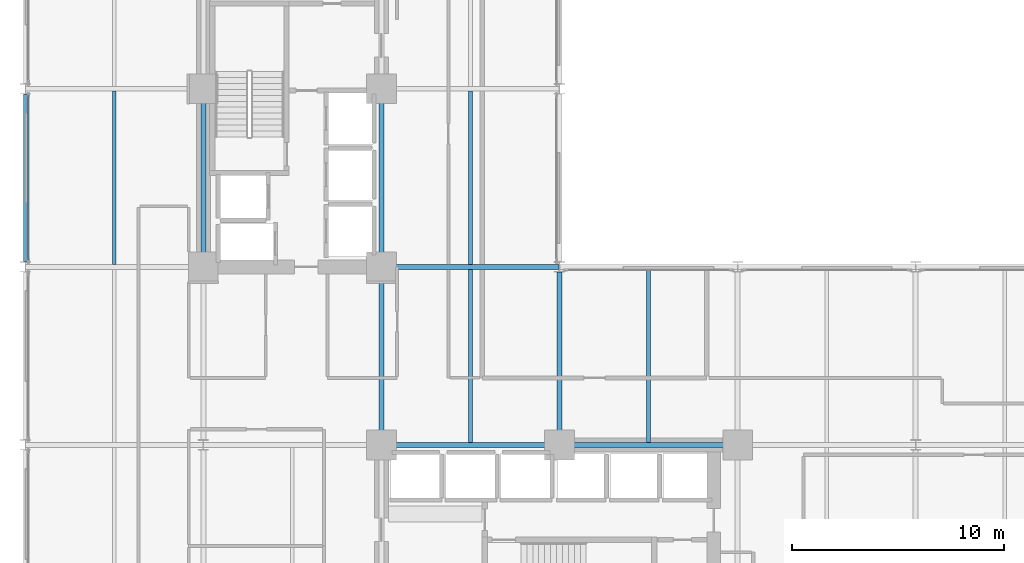
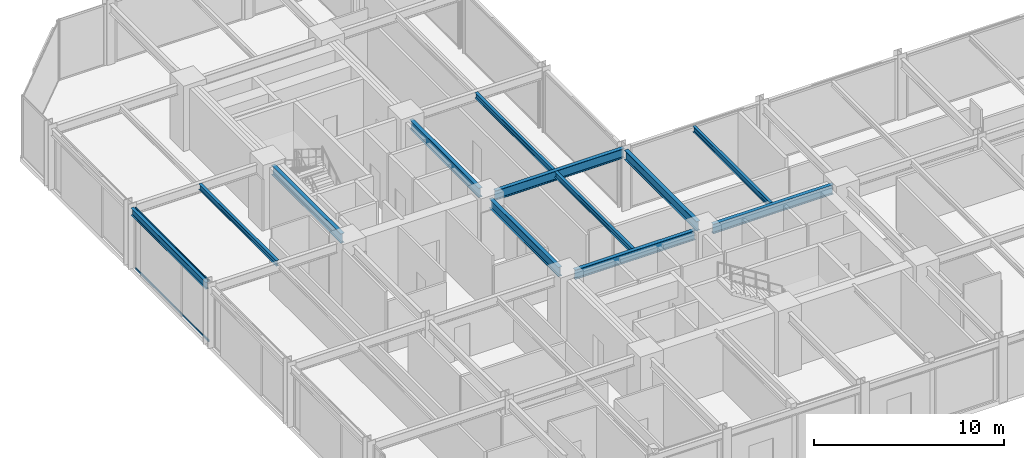
# One storey, part 9 of 26: 12 beams, 2 members, 1 element without a shape of its own.
"""IFC4 building model written with IfcOpenShell, lengths in metres."""

from ifc_helpers import new_model, si_unit, direction, frame, origin, origin_2d, place, context, subcontext, project, spatial, hollow_rectangle, i_section, extrude, material, layer, layer_set, material_profile, profile_set, type_object, element, aggregate, save


model = new_model("IFC4")

# Units and contexts
model_context = context("Model", 3, precision=1e-05, world=origin(), true_north=direction((0.0, 1.0)))
body_context = subcontext(model_context, "Body", "Model", "MODEL_VIEW")
ifc_project = project(units=[si_unit("LENGTHUNIT", "METRE"), si_unit("AREAUNIT", "SQUARE_METRE"), si_unit("VOLUMEUNIT", "CUBIC_METRE"), si_unit("PLANEANGLEUNIT", "RADIAN"), si_unit("MASSUNIT", "GRAM", prefix="KILO")], contexts=[model_context])

# Site, building, storey
site_placement = place(None, origin())
site = spatial("IfcSite", under=ifc_project, at=site_placement, CompositionType="ELEMENT")
building_placement = place(site_placement, origin())
building = spatial("IfcBuilding", under=site, at=building_placement, Name="Nerrivon Quay Data Exchange", CompositionType="ELEMENT")
storey_placement = place(building_placement, frame((0.0, 0.0, 71.0)))
storey = spatial("IfcBuildingStorey", under=building, at=storey_placement, Name="L16", CompositionType="ELEMENT", Elevation=71.0)

# Beams
ifc_material_1 = material(Name="Steel Grade 350", Category="steel")
ifc_material_profile_1 = material_profile(ifc_material_1, i_section(OverallWidth=0.22900390625, OverallDepth=0.612060546875, WebThickness=0.011962890625, FlangeThickness=0.01953125, FilletRadius=0.013916015625, at=origin_2d()), Name="610UB125")
ifc_profile_set_1 = profile_set([ifc_material_profile_1], Name="Steel Grade 350")
beam_type_1 = type_object("IfcBeamType", Name="BM-G1-610UB125", PredefinedType="BEAM", material=ifc_profile_set_1)
beam_1_placement = place(storey_placement, frame((17.340087890625, 16.800048828125, 3.618896484375), z_axis=(1.0, 0.0, 0.0), x_axis=(0.0, 1.0, 0.0)))
element("IfcBeam", 1, at=beam_1_placement, inside=storey, type_object=beam_type_1, Name="L16 EW Girder Y=16.8 (16.8..25.2)", PredefinedType="BEAM", context=body_context, shape_type="SweptSolid", body=[
    extrude(i_section(OverallWidth=0.22900390625, OverallDepth=0.612060546875, WebThickness=0.011962890625, FlangeThickness=0.01953125, FilletRadius=0.013916015625, at=origin_2d()), origin(), (0.0, 0.0, 1.0), 7.31982421875),
])
beam_2_placement = place(storey_placement, frame((25.739990234375, 16.800048828125, 3.618896484375), z_axis=(1.0, 0.0, 0.0), x_axis=(0.0, 1.0, 0.0)))
element("IfcBeam", 2, at=beam_2_placement, inside=storey, type_object=beam_type_1, Name="L16 EW Girder Y=16.8 (25.2..33.6)", PredefinedType="BEAM", context=body_context, shape_type="SweptSolid", body=[
    extrude(i_section(OverallWidth=0.22900390625, OverallDepth=0.612060546875, WebThickness=0.011962890625, FlangeThickness=0.01953125, FilletRadius=0.013916015625, at=origin_2d()), origin(), (0.0, 0.0, 1.0), 7.320068359375),
])
beam_3_placement = place(storey_placement, frame((17.340087890625, 25.199951171875, 3.618896484375), z_axis=(1.0, 0.0, 0.0), x_axis=(0.0, 1.0, 0.0)))
element("IfcBeam", 3, at=beam_3_placement, inside=storey, type_object=beam_type_1, Name="L16 EW Girder Y=25.2 (16.8..25.2)", PredefinedType="BEAM", context=body_context, shape_type="SweptSolid", body=[
    extrude(i_section(OverallWidth=0.22900390625, OverallDepth=0.612060546875, WebThickness=0.011962890625, FlangeThickness=0.01953125, FilletRadius=0.013916015625, at=origin_2d()), origin(), (0.0, 0.0, 1.0), 7.845947265625),
])
ifc_material_profile_2 = material_profile(ifc_material_1, i_section(OverallWidth=0.22802734375, OverallDepth=0.60205078125, WebThickness=0.010498046875, FlangeThickness=0.014892578125, FilletRadius=0.013916015625, at=origin_2d()), Name="610UB101")
ifc_profile_set_2 = profile_set([ifc_material_profile_2], Name="Steel Grade 350")
beam_type_2 = type_object("IfcBeamType", Name="BM-G2-610UB101", PredefinedType="BEAM", material=ifc_profile_set_2)
beam_4_placement = place(storey_placement, frame((8.39990234375, 25.739990234375, 3.6240234375), z_axis=(0.0, 1.0, 0.0), x_axis=(-1.0, 0.0, 0.0)))
element("IfcBeam", 4, at=beam_4_placement, inside=storey, type_object=beam_type_2, Name="L16 NS Girder X=8.4 (25.2..33.6)", PredefinedType="BEAM", context=body_context, shape_type="SweptSolid", body=[
    extrude(i_section(OverallWidth=0.22802734375, OverallDepth=0.60205078125, WebThickness=0.010498046875, FlangeThickness=0.014892578125, FilletRadius=0.013916015625, at=origin_2d()), origin(), (0.0, 0.0, 1.0), 7.320068359375),
])
beam_5_placement = place(storey_placement, frame((16.800048828125, 17.340087890625, 3.6240234375), z_axis=(0.0, 1.0, 0.0), x_axis=(-1.0, 0.0, 0.0)))
element("IfcBeam", 5, at=beam_5_placement, inside=storey, type_object=beam_type_2, Name="L16 NS Girder X=16.8 (16.8..25.2)", PredefinedType="BEAM", context=body_context, shape_type="SweptSolid", body=[
    extrude(i_section(OverallWidth=0.22802734375, OverallDepth=0.60205078125, WebThickness=0.010498046875, FlangeThickness=0.014892578125, FilletRadius=0.013916015625, at=origin_2d()), origin(), (0.0, 0.0, 1.0), 7.31982421875),
])
beam_6_placement = place(storey_placement, frame((16.800048828125, 25.739990234375, 3.6240234375), z_axis=(0.0, 1.0, 0.0), x_axis=(-1.0, 0.0, 0.0)))
element("IfcBeam", 6, at=beam_6_placement, inside=storey, type_object=beam_type_2, Name="L16 NS Girder X=16.8 (25.2..33.6)", PredefinedType="BEAM", context=body_context, shape_type="SweptSolid", body=[
    extrude(i_section(OverallWidth=0.22802734375, OverallDepth=0.60205078125, WebThickness=0.010498046875, FlangeThickness=0.014892578125, FilletRadius=0.013916015625, at=origin_2d()), origin(), (0.0, 0.0, 1.0), 7.320068359375),
])
beam_7_placement = place(storey_placement, frame((25.199951171875, 17.340087890625, 3.6240234375), z_axis=(0.0, 1.0, 0.0), x_axis=(-1.0, 0.0, 0.0)))
element("IfcBeam", 7, at=beam_7_placement, inside=storey, type_object=beam_type_2, Name="L16 NS Girder X=25.2 (16.8..25.2)", PredefinedType="BEAM", context=body_context, shape_type="SweptSolid", body=[
    extrude(i_section(OverallWidth=0.22802734375, OverallDepth=0.60205078125, WebThickness=0.010498046875, FlangeThickness=0.014892578125, FilletRadius=0.013916015625, at=origin_2d()), origin(), (0.0, 0.0, 1.0), 7.60986328125),
])
ifc_material_profile_3 = material_profile(ifc_material_1, i_section(OverallWidth=0.172119140625, OverallDepth=0.35888671875, WebThickness=0.008056640625, FlangeThickness=0.012939453125, FilletRadius=0.011474609375, at=origin_2d()), Name="360UB56.7")
ifc_profile_set_3 = profile_set([ifc_material_profile_3], Name="Steel Grade 350")
beam_type_3 = type_object("IfcBeamType", Name="BM-J3-360UB57", PredefinedType="JOIST", material=ifc_profile_set_3)
beam_8_placement = place(storey_placement, frame((4.199951171875, 25.314453125, 3.74560546875), z_axis=(0.0, 1.0, 0.0), x_axis=(-1.0, 0.0, 0.0)))
element("IfcBeam", 8, at=beam_8_placement, inside=storey, type_object=beam_type_3, Name="L16 Secondary Joist X=4.2 (25.2..33.6)", PredefinedType="JOIST", context=body_context, shape_type="SweptSolid", body=[
    extrude(i_section(OverallWidth=0.172119140625, OverallDepth=0.35888671875, WebThickness=0.008056640625, FlangeThickness=0.012939453125, FilletRadius=0.011474609375, at=origin_2d()), origin(), (0.0, 0.0, 1.0), 8.171142578125),
])
beam_9_placement = place(storey_placement, frame((21.0, 16.91455078125, 3.74560546875), z_axis=(0.0, 1.0, 0.0), x_axis=(-1.0, 0.0, 0.0)))
element("IfcBeam", 9, at=beam_9_placement, inside=storey, type_object=beam_type_3, Name="L16 Secondary Joist X=21.0 (16.8..25.2)", PredefinedType="JOIST", context=body_context, shape_type="SweptSolid", body=[
    extrude(i_section(OverallWidth=0.172119140625, OverallDepth=0.35888671875, WebThickness=0.008056640625, FlangeThickness=0.012939453125, FilletRadius=0.011474609375, at=origin_2d()), origin(), (0.0, 0.0, 1.0), 8.1708984375),
])
beam_10_placement = place(storey_placement, frame((21.0, 25.314453125, 3.74560546875), z_axis=(0.0, 1.0, 0.0), x_axis=(-1.0, 0.0, 0.0)))
element("IfcBeam", 10, at=beam_10_placement, inside=storey, type_object=beam_type_3, Name="L16 Secondary Joist X=21.0 (25.2..33.6)", PredefinedType="JOIST", context=body_context, shape_type="SweptSolid", body=[
    extrude(i_section(OverallWidth=0.172119140625, OverallDepth=0.35888671875, WebThickness=0.008056640625, FlangeThickness=0.012939453125, FilletRadius=0.011474609375, at=origin_2d()), origin(), (0.0, 0.0, 1.0), 8.171142578125),
])
beam_11_placement = place(storey_placement, frame((29.39990234375, 16.91455078125, 3.74560546875), z_axis=(0.0, 1.0, 0.0), x_axis=(-1.0, 0.0, 0.0)))
element("IfcBeam", 11, at=beam_11_placement, inside=storey, type_object=beam_type_3, Name="L16 Secondary Joist X=29.4 (16.8..25.2)", PredefinedType="JOIST", context=body_context, shape_type="SweptSolid", body=[
    extrude(i_section(OverallWidth=0.172119140625, OverallDepth=0.35888671875, WebThickness=0.008056640625, FlangeThickness=0.012939453125, FilletRadius=0.011474609375, at=origin_2d()), origin(), (0.0, 0.0, 1.0), 8.1708984375),
])
ifc_material_profile_4 = material_profile(ifc_material_1, i_section(OverallWidth=0.18994140625, OverallDepth=0.4541015625, WebThickness=0.008544921875, FlangeThickness=0.0126953125, FilletRadius=0.011474609375, at=origin_2d()), Name="460UB67.1")
ifc_profile_set_4 = profile_set([ifc_material_profile_4], Name="Steel Grade 350")
beam_type_4 = type_object("IfcBeamType", Name="BM-SP1-460UB67", PredefinedType="SPANDREL", material=ifc_profile_set_4)
beam_12_placement = place(storey_placement, frame((0.0, 25.449951171875, 3.697998046875), z_axis=(0.0, 1.0, 0.0), x_axis=(-1.0, 0.0, 0.0)))
element("IfcBeam", 12, at=beam_12_placement, inside=storey, type_object=beam_type_4, Name="L16 NS Girder X=0.0 (25.2..33.6)", PredefinedType="SPANDREL", context=body_context, shape_type="SweptSolid", body=[
    extrude(i_section(OverallWidth=0.18994140625, OverallDepth=0.4541015625, WebThickness=0.008544921875, FlangeThickness=0.0126953125, FilletRadius=0.011474609375, at=origin_2d()), origin(), (0.0, 0.0, 1.0), 7.900146484375),
])

# Curtain wall, members
ifc_material_2 = material(Name="Anodised aluminium 6063-T6", Category="aluminium")
ifc_layer = layer(ifc_material_2, 0.219970703125)
ifc_layer_set = layer_set([ifc_layer], Name="Anodised aluminium 6063-T6")
curtain_wall_type = type_object("IfcCurtainWallType", Name="CW-SYS-01", PredefinedType="NOTDEFINED", material=ifc_layer_set)
curtain_wall_placement = place(storey_placement, origin())
curtain_wall = element("IfcCurtainWall", 13, at=curtain_wall_placement, inside=storey, type_object=curtain_wall_type, Name="L16 Unitised Curtain Wall 20", PredefinedType="NOTDEFINED")
ifc_material_profile_5 = material_profile(ifc_material_2, hollow_rectangle(XDim=0.06005859375, YDim=0.1201171875, WallThickness=0.003173828125, at=origin_2d()), Name="ALU-TRAN-120x60")
ifc_profile_set_5 = profile_set([ifc_material_profile_5], Name="Anodised aluminium 6063-T6")
member_type = type_object("IfcMemberType", Name="CWT-120x60", PredefinedType="USERDEFINED", material=ifc_profile_set_5)
member_1_placement = place(storey_placement, frame((0.139892578125, 25.52490234375, 0.032470703125), z_axis=(0.0, 1.0, 0.0), x_axis=(-1.0, 0.0, 0.0)))
member_1 = element("IfcMember", 14, at=member_1_placement, type_object=member_type, Name="CW01 transom 1.1", ObjectType="TRANSOM", PredefinedType="USERDEFINED", context=body_context, shape_type="SweptSolid", body=[
    extrude(hollow_rectangle(XDim=0.06005859375, YDim=0.1201171875, WallThickness=0.003173828125, at=origin_2d()), origin(), (0.0, 0.0, 1.0), 7.75),
])
member_2_placement = place(storey_placement, frame((0.139892578125, 25.52490234375, 3.892578125), z_axis=(0.0, 1.0, 0.0), x_axis=(-1.0, 0.0, 0.0)))
member_2 = element("IfcMember", 15, at=member_2_placement, type_object=member_type, Name="CW01 transom 1.2", ObjectType="TRANSOM", PredefinedType="USERDEFINED", context=body_context, shape_type="SweptSolid", body=[
    extrude(hollow_rectangle(XDim=0.06005859375, YDim=0.1201171875, WallThickness=0.003173828125, at=origin_2d()), origin(), (0.0, 0.0, 1.0), 7.75),
])
aggregate(curtain_wall, [member_1, member_2])

save(model, "model.ifc")
